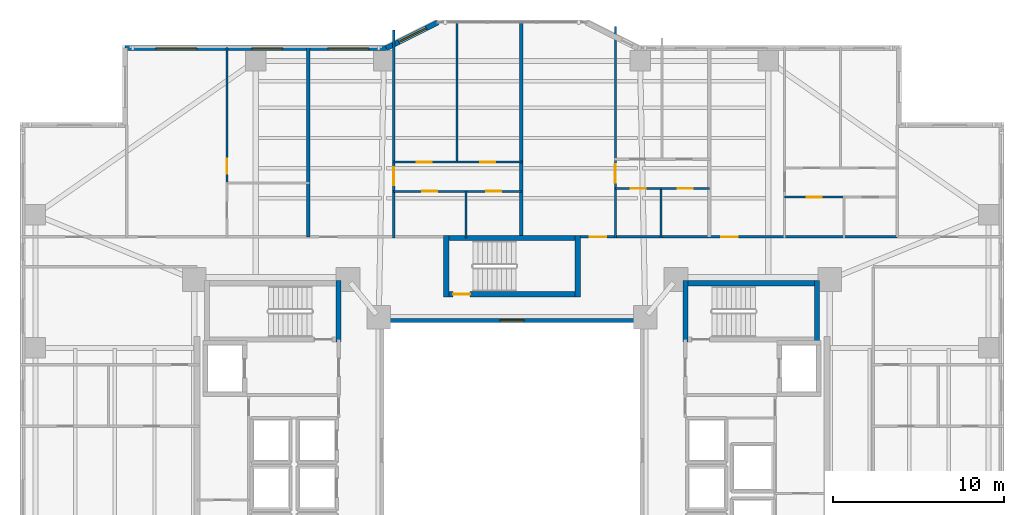
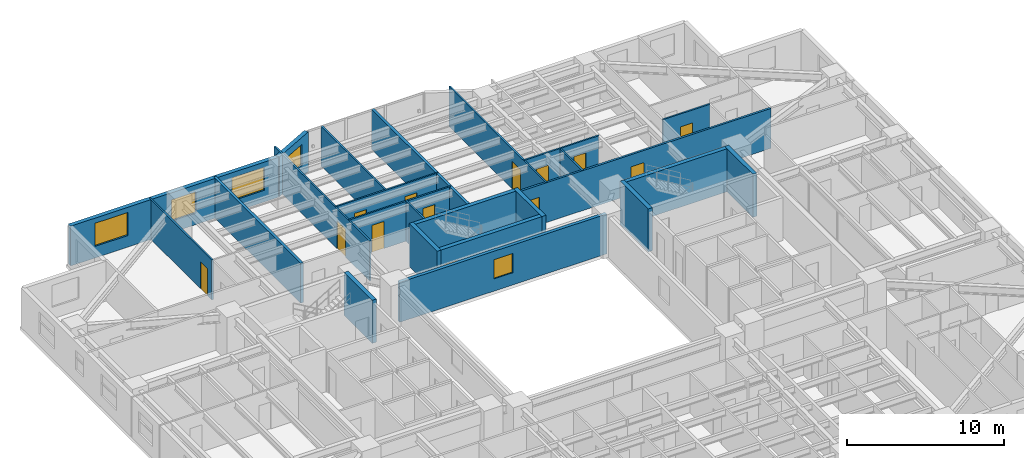
# One storey, part 15 of 22: 26 walls, 13 doors, 5 windows, 18 openings.
"""IFC4 building model written with IfcOpenShell, lengths in metres."""

from ifc_helpers import new_model, si_unit, direction, frame, frame_2d, origin, place, context, subcontext, project, spatial, rectangle, extrude, material, layer, layer_set, type_object, element, fill, save


model = new_model("IFC4")

# Units and contexts
model_context = context("Model", 3, precision=1e-05, world=origin(), true_north=direction((0.0, 1.0)))
body_context = subcontext(model_context, "Body", "Model", "MODEL_VIEW")
ifc_project = project(units=[si_unit("LENGTHUNIT", "METRE"), si_unit("AREAUNIT", "SQUARE_METRE"), si_unit("VOLUMEUNIT", "CUBIC_METRE"), si_unit("PLANEANGLEUNIT", "RADIAN"), si_unit("MASSUNIT", "GRAM", prefix="KILO")], contexts=[model_context])

# Site, building, storey
site_placement = place(None, origin())
site = spatial("IfcSite", under=ifc_project, at=site_placement, CompositionType="ELEMENT")
building_placement = place(site_placement, origin())
building = spatial("IfcBuilding", under=site, at=building_placement, Name="Tarnavaz Court Tower", CompositionType="ELEMENT")
storey_placement = place(building_placement, frame((0.0, 0.0, 57.5)))
storey = spatial("IfcBuildingStorey", under=building, at=storey_placement, Name="L15", CompositionType="ELEMENT", Elevation=57.5)

# Walls
ifc_material_1 = material(Name="Concrete C60/75", Category="concrete")
ifc_layer_1 = layer(ifc_material_1, 0.300048828125)
ifc_layer_set_1 = layer_set([ifc_layer_1], Name="Concrete C60/75")
wall_type_1 = type_object("IfcWallType", Name="WL-CORE-300-C60", PredefinedType="SHEAR", material=ifc_layer_set_1)
wall_1_placement = place(storey_placement, frame((-10.14990234375, 6.35009765625, 0.0), z_axis=(0.0, 0.0, 1.0), x_axis=(0.0, 1.0, 0.0)))
element("IfcWall", 1, at=wall_1_placement, inside=storey, type_object=wall_type_1, Name="L15 West Stair Core Wall 004", PredefinedType="SHEAR", context=body_context, shape_type="SweptSolid", body=[
    extrude(rectangle(XDim=3.58984375, YDim=0.300048828125, at=frame_2d((1.794921875, 0.0))), origin(), (0.0, 0.0, 1.0), 3.35009765625),
])
wall_2_placement = place(storey_placement, frame((10.0, 9.7900390625, 0.0), z_axis=(0.0, 0.0, 1.0), x_axis=(1.0, 0.0, 0.0)))
element("IfcWall", 2, at=wall_2_placement, inside=storey, type_object=wall_type_1, Name="L15 East Stair Core Wall 005", PredefinedType="SHEAR", context=body_context, shape_type="SweptSolid", body=[
    extrude(rectangle(XDim=8.0, YDim=0.300048828125, at=frame_2d((4.0, 0.0))), origin(), (0.0, 0.0, 1.0), 3.35009765625),
])
for number, where, z_axis, x_axis, name in (
    (3, (10.14990234375, 6.35009765625, 0.0), (0.0, 0.0, 1.0), (0.0, 1.0, 0.0), "L15 East Stair Core Wall 007"),
    (4, (17.85009765625, 6.35009765625, 0.0), (0.0, 0.0, 1.0), (0.0, 1.0, 0.0), "L15 East Stair Core Wall 008"),
):
    element("IfcWall", number, at=place(storey_placement, frame(where, z_axis=z_axis, x_axis=x_axis)), inside=storey, type_object=wall_type_1, Name=name, PredefinedType="SHEAR", context=body_context, shape_type="SweptSolid", body=[
        extrude(rectangle(XDim=3.58984375, YDim=0.300048828125, at=frame_2d((1.794921875, 0.0))), origin(), (0.0, 0.0, 1.0), 3.35009765625),
    ])
wall_3_placement = place(storey_placement, frame((-4.0, 12.43994140625, 0.0), z_axis=(0.0, 0.0, 1.0), x_axis=(1.0, 0.0, 0.0)))
element("IfcWall", 5, at=wall_3_placement, inside=storey, type_object=wall_type_1, Name="L15 North Stair Core Wall 009", PredefinedType="SHEAR", context=body_context, shape_type="SweptSolid", body=[
    extrude(rectangle(XDim=8.0, YDim=0.300048828125, at=frame_2d((4.0, 0.0))), origin(), (0.0, 0.0, 1.0), 3.35009765625),
])

# Wall, opening, door
wall_4_placement = place(storey_placement, frame((-4.0, 9.14990234375, 0.0), z_axis=(0.0, 0.0, 1.0), x_axis=(1.0, 0.0, 0.0)))
wall_4 = element("IfcWall", 6, at=wall_4_placement, inside=storey, type_object=wall_type_1, Name="L15 North Stair Core Wall 010", PredefinedType="SHEAR", context=body_context, shape_type="SweptSolid", body=[
    extrude(rectangle(XDim=8.0, YDim=0.300048828125, at=frame_2d((4.0, 0.0))), origin(), (0.0, 0.0, 1.0), 3.35009765625),
])
opening_1_placement = place(wall_4_placement, frame((0.550048828125, 0.0, 0.0)))
opening_1 = element("IfcOpeningElement", 7, at=opening_1_placement, cuts=wall_4, Name="Opening D01", PredefinedType="OPENING", context=body_context, shape_type="SweptSolid", body=[
    extrude(rectangle(XDim=1.0, YDim=2.14990234375, at=frame_2d((0.5, 1.074951171875))), frame((0.0, 0.159912109375, 0.0), z_axis=(0.0, -1.0, 0.0), x_axis=(1.0, 0.0, 0.0)), (0.0, 0.0, 1.0), 0.320068359375),
])
ifc_material_2 = material(Name="Fire-Rated Hardwood Timber Core", Category="wood")
door_type_1 = type_object("IfcDoorType", Name="DR-FD90-1000", OperationType="NOTDEFINED", PredefinedType="DOOR", material=ifc_material_2)
door_1_placement = place(opening_1_placement, origin())
door_1 = element("IfcDoor", 8, at=door_1_placement, inside=storey, type_object=door_type_1, Name="L15 Stair ST-N1 Exit Door", OperationType="SINGLE_SWING_LEFT", OverallHeight=2.14990234375, OverallWidth=1.0, PredefinedType="DOOR", context=body_context, shape_type="SweptSolid", body=[
    extrude(rectangle(XDim=1.0, YDim=2.14990234375, at=frame_2d((0.5, 1.074951171875))), frame((0.0, 0.02490234375, 0.0), z_axis=(0.0, -1.0, 0.0), x_axis=(1.0, 0.0, 0.0)), (0.0, 0.0, 1.0), 0.050048828125),
])
fill(opening_1, door_1)

# Walls
for number, where, z_axis, x_axis, name in (
    (9, (-3.85009765625, 9.0, 0.0), (0.0, 0.0, 1.0), (0.0, 1.0, 0.0), "L15 North Stair Core Wall 011"),
    (10, (3.85009765625, 9.0, 0.0), (0.0, 0.0, 1.0), (0.0, 1.0, 0.0), "L15 North Stair Core Wall 012"),
):
    element("IfcWall", number, at=place(storey_placement, frame(where, z_axis=z_axis, x_axis=x_axis)), inside=storey, type_object=wall_type_1, Name=name, PredefinedType="SHEAR", context=body_context, shape_type="SweptSolid", body=[
        extrude(rectangle(XDim=3.590087890625, YDim=0.300048828125, at=frame_2d((1.794921875, 0.0))), origin(), (0.0, 0.0, 1.0), 3.35009765625),
    ])

# Wall, openings, windows
ifc_material_3 = material(Name="Precast Concrete C40/50", Category="concrete")
ifc_layer_2 = layer(ifc_material_3, 0.300048828125)
ifc_layer_set_2 = layer_set([ifc_layer_2], Name="Precast Concrete C40/50")
wall_type_2 = type_object("IfcWallType", Name="WL-EXT-300", PredefinedType="SOLIDWALL", material=ifc_layer_set_2)
wall_5_placement = place(storey_placement, frame((-22.64990234375, 23.550048828125, 0.0), z_axis=(0.0, 0.0, 1.0), x_axis=(1.0, 0.0, 0.0)))
wall_5 = element("IfcWall", 11, at=wall_5_placement, inside=storey, type_object=wall_type_2, Name="L15 Exterior Terracotta Facade Wall 05", PredefinedType="SOLIDWALL", context=body_context, shape_type="SweptSolid", body=[
    extrude(rectangle(XDim=15.2998046875, YDim=0.300048828125, at=frame_2d((7.64990234375, 0.0))), origin(), (0.0, 0.0, 1.0), 3.10009765625),
])
opening_2_placement = place(wall_5_placement, frame((1.809814453125, 0.0, 0.89990234375)))
opening_2 = element("IfcOpeningElement", 12, at=opening_2_placement, cuts=wall_5, Name="Opening W06", PredefinedType="OPENING", context=body_context, shape_type="SweptSolid", body=[
    extrude(rectangle(XDim=2.39990234375, YDim=1.800048828125, at=frame_2d((1.199951171875, 0.89990234375))), frame((0.0, 0.159912109375, 0.0), z_axis=(0.0, -1.0, 0.0), x_axis=(1.0, 0.0, 0.0)), (0.0, 0.0, 1.0), 0.320068359375),
])
opening_3_placement = place(wall_5_placement, frame((7.42724609375, 0.0, 0.89990234375)))
opening_3 = element("IfcOpeningElement", 13, at=opening_3_placement, cuts=wall_5, Name="Opening W01", PredefinedType="OPENING", context=body_context, shape_type="SweptSolid", body=[
    extrude(rectangle(XDim=1.800048828125, YDim=1.64990234375, at=frame_2d((0.89990234375, 0.824951171875))), frame((0.0, 0.159912109375, 0.0), z_axis=(0.0, -1.0, 0.0), x_axis=(1.0, 0.0, 0.0)), (0.0, 0.0, 1.0), 0.320068359375),
])
opening_4_placement = place(wall_5_placement, frame((11.86767578125, 0.0, 0.89990234375)))
opening_4 = element("IfcOpeningElement", 14, at=opening_4_placement, cuts=wall_5, Name="Opening W06", PredefinedType="OPENING", context=body_context, shape_type="SweptSolid", body=[
    extrude(rectangle(XDim=2.39990234375, YDim=1.800048828125, at=frame_2d((1.199951171875, 0.89990234375))), frame((0.0, 0.159912109375, 0.0), z_axis=(0.0, -1.0, 0.0), x_axis=(1.0, 0.0, 0.0)), (0.0, 0.0, 1.0), 0.320068359375),
])
ifc_material_4 = material(Name="Double-Glazed Solar Low-E Glass", Category="glass")
window_type_1 = type_object("IfcWindowType", Name="WN-APT-1800", PartitioningType="DOUBLE_PANEL_VERTICAL", PredefinedType="WINDOW", material=ifc_material_4)
window_1_placement = place(opening_3_placement, origin())
window_1 = element("IfcWindow", 15, at=window_1_placement, inside=storey, type_object=window_type_1, Name="L15 Flat 01 Kitchen Window", OverallHeight=1.64990234375, OverallWidth=1.800048828125, PartitioningType="SINGLE_PANEL", PredefinedType="WINDOW", context=body_context, shape_type="SweptSolid", body=[
    extrude(rectangle(XDim=1.800048828125, YDim=1.64990234375, at=frame_2d((0.89990234375, 0.824951171875))), frame((0.0, 0.030029296875, 0.0), z_axis=(0.0, -1.0, 0.0), x_axis=(1.0, 0.0, 0.0)), (0.0, 0.0, 1.0), 0.06005859375),
])
fill(opening_3, window_1)
window_type_2 = type_object("IfcWindowType", Name="WN-APT-2400", PartitioningType="TRIPLE_PANEL_VERTICAL", PredefinedType="WINDOW", material=ifc_material_4)
window_2_placement = place(opening_2_placement, origin())
window_2 = element("IfcWindow", 16, at=window_2_placement, inside=storey, type_object=window_type_2, Name="L15 Flat 01 Studio Living and Sleeping Room Window", OverallHeight=1.800048828125, OverallWidth=2.39990234375, PartitioningType="SINGLE_PANEL", PredefinedType="WINDOW", context=body_context, shape_type="SweptSolid", body=[
    extrude(rectangle(XDim=2.39990234375, YDim=1.800048828125, at=frame_2d((1.199951171875, 0.89990234375))), frame((0.0, 0.030029296875, 0.0), z_axis=(0.0, -1.0, 0.0), x_axis=(1.0, 0.0, 0.0)), (0.0, 0.0, 1.0), 0.06005859375),
])
fill(opening_2, window_2)
window_3_placement = place(opening_4_placement, origin())
window_3 = element("IfcWindow", 17, at=window_3_placement, inside=storey, type_object=window_type_2, Name="L15 Flat 02 Living and Dining Room Window", OverallHeight=1.800048828125, OverallWidth=2.39990234375, PartitioningType="SINGLE_PANEL", PredefinedType="WINDOW", context=body_context, shape_type="SweptSolid", body=[
    extrude(rectangle(XDim=2.39990234375, YDim=1.800048828125, at=frame_2d((1.199951171875, 0.89990234375))), frame((0.0, 0.030029296875, 0.0), z_axis=(0.0, -1.0, 0.0), x_axis=(1.0, 0.0, 0.0)), (0.0, 0.0, 1.0), 0.06005859375),
])
fill(opening_4, window_3)

# Wall, opening, window
wall_6_placement = place(storey_placement, frame((-7.35009765625, 23.550048828125, 0.0), z_axis=(0.0, 0.0, 1.0), x_axis=(0.894427191, 0.4472135955, 0.0)))
wall_6 = element("IfcWall", 18, at=wall_6_placement, inside=storey, type_object=wall_type_2, Name="L15 Exterior Terracotta Facade Wall 06", PredefinedType="SOLIDWALL", context=body_context, shape_type="SweptSolid", body=[
    extrude(rectangle(XDim=3.35400390625, YDim=0.300048828125, at=frame_2d((1.677001953125, 0.0))), origin(), (0.0, 0.0, 1.0), 3.10009765625),
])
opening_5_placement = place(wall_6_placement, frame((0.80712890625, 0.0, 0.89990234375)))
opening_5 = element("IfcOpeningElement", 19, at=opening_5_placement, cuts=wall_6, Name="Opening W01", PredefinedType="OPENING", context=body_context, shape_type="SweptSolid", body=[
    extrude(rectangle(XDim=1.800048828125, YDim=1.64990234375, at=frame_2d((0.89990234375, 0.824951171875))), frame((0.0, 0.159912109375, 0.0), z_axis=(0.0, -1.0, 0.0), x_axis=(1.0, 0.0, 0.0)), (0.0, 0.0, 1.0), 0.320068359375),
])
window_4_placement = place(opening_5_placement, origin())
window_4 = element("IfcWindow", 20, at=window_4_placement, inside=storey, type_object=window_type_1, Name="L15 Flat 02 Principal Bedroom Window", OverallHeight=1.64990234375, OverallWidth=1.800048828125, PartitioningType="SINGLE_PANEL", PredefinedType="WINDOW", context=body_context, shape_type="SweptSolid", body=[
    extrude(rectangle(XDim=1.800048828125, YDim=1.64990234375, at=frame_2d((0.89990234375, 0.824951171875))), frame((0.0, 0.030029296875, 0.0), z_axis=(0.0, -1.0, 0.0), x_axis=(1.0, 0.0, 0.0)), (0.0, 0.0, 1.0), 0.06005859375),
])
fill(opening_5, window_4)

# Wall, openings, doors
ifc_material_5 = material(Name="Gypsum Fire-Board on Acoustic Metal Stud", Category="masonry")
ifc_layer_3 = layer(ifc_material_5, 0.14990234375)
ifc_layer_set_3 = layer_set([ifc_layer_3], Name="Gypsum Fire-Board on Acoustic Metal Stud")
wall_type_3 = type_object("IfcWallType", Name="WL-FIRE-150", PredefinedType="PARTITIONING", material=ifc_layer_set_3)
wall_7_placement = place(storey_placement, frame((3.85009765625, 12.5, 0.0), z_axis=(0.0, 0.0, 1.0), x_axis=(1.0, 0.0, 0.0)))
wall_7 = element("IfcWall", 21, at=wall_7_placement, inside=storey, type_object=wall_type_3, Name="L15 NE Wing Corridor Wall 082", PredefinedType="PARTITIONING", context=body_context, shape_type="SweptSolid", body=[
    extrude(rectangle(XDim=18.699951171875, YDim=0.14990234375, at=frame_2d((9.35009765625, 0.0))), origin(), (0.0, 0.0, 1.0), 3.10009765625),
])
opening_6_placement = place(wall_7_placement, frame((0.699951171875, 0.0, 0.0)))
opening_6 = element("IfcOpeningElement", 22, at=opening_6_placement, cuts=wall_7, Name="Opening D06", PredefinedType="OPENING", context=body_context, shape_type="SweptSolid", body=[
    extrude(rectangle(XDim=0.9599609375, YDim=2.14990234375, at=frame_2d((0.47998046875, 1.074951171875))), frame((0.0, 0.0849609375, 0.0), z_axis=(0.0, -1.0, 0.0), x_axis=(1.0, 0.0, 0.0)), (0.0, 0.0, 1.0), 0.169921875),
])
opening_7_placement = place(wall_7_placement, frame((8.39990234375, 0.0, 0.0)))
opening_7 = element("IfcOpeningElement", 23, at=opening_7_placement, cuts=wall_7, Name="Opening D06", PredefinedType="OPENING", context=body_context, shape_type="SweptSolid", body=[
    extrude(rectangle(XDim=0.9599609375, YDim=2.14990234375, at=frame_2d((0.47998046875, 1.074951171875))), frame((0.0, 0.0849609375, 0.0), z_axis=(0.0, -1.0, 0.0), x_axis=(1.0, 0.0, 0.0)), (0.0, 0.0, 1.0), 0.169921875),
])
door_type_2 = type_object("IfcDoorType", Name="DR-FD60-950", OperationType="NOTDEFINED", PredefinedType="DOOR", material=ifc_material_2)
door_2_placement = place(opening_6_placement, origin())
door_2 = element("IfcDoor", 24, at=door_2_placement, inside=storey, type_object=door_type_2, Name="L15 Flat 03 Entrance Door", OperationType="SINGLE_SWING_RIGHT", OverallHeight=2.14990234375, OverallWidth=0.9599609375, PredefinedType="DOOR", context=body_context, shape_type="SweptSolid", body=[
    extrude(rectangle(XDim=0.9599609375, YDim=2.14990234375, at=frame_2d((0.47998046875, 1.074951171875))), frame((0.0, 0.02490234375, 0.0), z_axis=(0.0, -1.0, 0.0), x_axis=(1.0, 0.0, 0.0)), (0.0, 0.0, 1.0), 0.050048828125),
])
fill(opening_6, door_2)
door_3_placement = place(opening_7_placement, origin())
door_3 = element("IfcDoor", 25, at=door_3_placement, inside=storey, type_object=door_type_2, Name="L15 Flat 04 Entrance Door", OperationType="SINGLE_SWING_RIGHT", OverallHeight=2.14990234375, OverallWidth=0.9599609375, PredefinedType="DOOR", context=body_context, shape_type="SweptSolid", body=[
    extrude(rectangle(XDim=0.9599609375, YDim=2.14990234375, at=frame_2d((0.47998046875, 1.074951171875))), frame((0.0, 0.02490234375, 0.0), z_axis=(0.0, -1.0, 0.0), x_axis=(1.0, 0.0, 0.0)), (0.0, 0.0, 1.0), 0.050048828125),
])
fill(opening_7, door_3)

# Walls
ifc_material_6 = material(Name="Autoclaved Aerated Concrete Blockwork", Category="masonry")
ifc_layer_4 = layer(ifc_material_6, 0.199951171875)
ifc_layer_set_4 = layer_set([ifc_layer_4], Name="Autoclaved Aerated Concrete Blockwork")
wall_type_4 = type_object("IfcWallType", Name="WL-FIRE-200", PredefinedType="SOLIDWALL", material=ifc_layer_set_4)
wall_8_placement = place(storey_placement, frame((0.550048828125, 12.5, 0.0), z_axis=(0.0, 0.0, 1.0), x_axis=(0.0, 1.0, 0.0)))
element("IfcWall", 26, at=wall_8_placement, inside=storey, type_object=wall_type_4, Name="L15 North Center Party Wall 087", PredefinedType="SOLIDWALL", context=body_context, shape_type="SweptSolid", body=[
    extrude(rectangle(XDim=12.580078125, YDim=0.199951171875, at=frame_2d((6.2900390625, 0.0))), origin(), (0.0, 0.0, 1.0), 3.10009765625),
])
wall_9_placement = place(storey_placement, frame((-11.924072265625, 12.5, 0.0), z_axis=(0.0, 0.0, 1.0), x_axis=(0.0, 1.0, 0.0)))
element("IfcWall", 27, at=wall_9_placement, inside=storey, type_object=wall_type_4, Name="L15 Party Wall 088", PredefinedType="SOLIDWALL", context=body_context, shape_type="SweptSolid", body=[
    extrude(rectangle(XDim=11.10009765625, YDim=0.199951171875, at=frame_2d((5.550048828125, 0.0))), origin(), (0.0, 0.0, 1.0), 3.10009765625),
])

# Wall, opening, door
ifc_material_7 = material(Name="Moisture-Resistant Gypsum Board Partition", Category="masonry")
ifc_layer_5 = layer(ifc_material_7, 0.1201171875)
ifc_layer_set_5 = layer_set([ifc_layer_5], Name="Moisture-Resistant Gypsum Board Partition")
wall_type_5 = type_object("IfcWallType", Name="WL-PART-120", PredefinedType="PARTITIONING", material=ifc_layer_set_5)
wall_10_placement = place(storey_placement, frame((-16.68408203125, 15.64990234375, 0.0), z_axis=(0.0, 0.0, 1.0), x_axis=(0.0, 1.0, 0.0)))
wall_10 = element("IfcWall", 28, at=wall_10_placement, inside=storey, type_object=wall_type_5, Name="L15 Interior Partition 090", PredefinedType="PARTITIONING", context=body_context, shape_type="SweptSolid", body=[
    extrude(rectangle(XDim=7.9501953125, YDim=0.1201171875, at=frame_2d((3.97509765625, 0.0))), origin(), (0.0, 0.0, 1.0), 3.10009765625),
])
opening_8_placement = place(wall_10_placement, frame((0.550048828125, 0.0, 0.0)))
opening_8 = element("IfcOpeningElement", 29, at=opening_8_placement, cuts=wall_10, Name="Opening D14", PredefinedType="OPENING", context=body_context, shape_type="SweptSolid", body=[
    extrude(rectangle(XDim=0.8798828125, YDim=2.10009765625, at=frame_2d((0.43994140625, 1.050048828125))), frame((0.0, 0.070068359375, 0.0), z_axis=(0.0, -1.0, 0.0), x_axis=(1.0, 0.0, 0.0)), (0.0, 0.0, 1.0), 0.14013671875),
])
ifc_material_8 = material(Name="Engineered Oak Timber", Category="wood")
door_type_3 = type_object("IfcDoorType", Name="DR-INT-900", OperationType="NOTDEFINED", PredefinedType="DOOR", material=ifc_material_8)
door_4_placement = place(opening_8_placement, origin())
door_4 = element("IfcDoor", 30, at=door_4_placement, inside=storey, type_object=door_type_3, Name="L15 Flat 01 Kitchen Door", OperationType="SINGLE_SWING_LEFT", OverallHeight=2.10009765625, OverallWidth=0.8798828125, PredefinedType="DOOR", context=body_context, shape_type="SweptSolid", body=[
    extrude(rectangle(XDim=0.8798828125, YDim=2.10009765625, at=frame_2d((0.43994140625, 1.050048828125))), frame((0.0, 0.02490234375, 0.0), z_axis=(0.0, -1.0, 0.0), x_axis=(1.0, 0.0, 0.0)), (0.0, 0.0, 1.0), 0.050048828125),
])
fill(opening_8, door_4)

wall_11_placement = place(storey_placement, frame((-6.922119140625, 12.43994140625, 0.0), z_axis=(0.0, 0.0, 1.0), x_axis=(0.0, 1.0, 0.0)))
wall_11 = element("IfcWall", 31, at=wall_11_placement, inside=storey, type_object=wall_type_5, Name="L15 Interior Partition 092", PredefinedType="PARTITIONING", context=body_context, shape_type="SweptSolid", body=[
    extrude(rectangle(XDim=12.166015625, YDim=0.1201171875, at=frame_2d((6.0830078125, 0.0))), origin(), (0.0, 0.0, 1.0), 3.10009765625),
])
opening_9_placement = place(wall_11_placement, frame((3.074951171875, 0.0, 0.0)))
opening_9 = element("IfcOpeningElement", 32, at=opening_9_placement, cuts=wall_11, Name="Opening D12", PredefinedType="OPENING", context=body_context, shape_type="SweptSolid", body=[
    extrude(rectangle(XDim=1.080078125, YDim=2.14990234375, at=frame_2d((0.5400390625, 1.074951171875))), frame((0.0, 0.070068359375, 0.0), z_axis=(0.0, -1.0, 0.0), x_axis=(1.0, 0.0, 0.0)), (0.0, 0.0, 1.0), 0.14013671875),
])
door_type_4 = type_object("IfcDoorType", Name="DR-INT-1100", OperationType="NOTDEFINED", PredefinedType="DOOR", material=ifc_material_8)
door_5_placement = place(opening_9_placement, origin())
door_5 = element("IfcDoor", 33, at=door_5_placement, inside=storey, type_object=door_type_4, Name="L15 Flat 02 Foyer Door", OperationType="SINGLE_SWING_LEFT", OverallHeight=2.14990234375, OverallWidth=1.080078125, PredefinedType="DOOR", context=body_context, shape_type="SweptSolid", body=[
    extrude(rectangle(XDim=1.080078125, YDim=2.14990234375, at=frame_2d((0.5400390625, 1.074951171875))), frame((0.0, 0.02490234375, 0.0), z_axis=(0.0, -1.0, 0.0), x_axis=(1.0, 0.0, 0.0)), (0.0, 0.0, 1.0), 0.050048828125),
])
fill(opening_9, door_5)

wall_12_placement = place(storey_placement, frame((-6.922119140625, 15.169921875, 0.0), z_axis=(0.0, 0.0, 1.0), x_axis=(1.0, 0.0, 0.0)))
wall_12 = element("IfcWall", 34, at=wall_12_placement, inside=storey, type_object=wall_type_5, Name="L15 Interior Partition 093", PredefinedType="PARTITIONING", context=body_context, shape_type="SweptSolid", body=[
    extrude(rectangle(XDim=4.22509765625, YDim=0.1201171875, at=frame_2d((2.112548828125, 0.0))), origin(), (0.0, 0.0, 1.0), 3.10009765625),
])
opening_10_placement = place(wall_12_placement, frame((1.672119140625, 0.0, 0.0)))
opening_10 = element("IfcOpeningElement", 35, at=opening_10_placement, cuts=wall_12, Name="Opening D14", PredefinedType="OPENING", context=body_context, shape_type="SweptSolid", body=[
    extrude(rectangle(XDim=0.8798828125, YDim=2.10009765625, at=frame_2d((0.43994140625, 1.050048828125))), frame((0.0, 0.070068359375, 0.0), z_axis=(0.0, -1.0, 0.0), x_axis=(1.0, 0.0, 0.0)), (0.0, 0.0, 1.0), 0.14013671875),
])
door_6_placement = place(opening_10_placement, origin())
door_6 = element("IfcDoor", 36, at=door_6_placement, inside=storey, type_object=door_type_3, Name="L15 Flat 02 Kitchen Door", OperationType="SINGLE_SWING_RIGHT", OverallHeight=2.10009765625, OverallWidth=0.8798828125, PredefinedType="DOOR", context=body_context, shape_type="SweptSolid", body=[
    extrude(rectangle(XDim=0.8798828125, YDim=2.10009765625, at=frame_2d((0.43994140625, 1.050048828125))), frame((0.0, 0.02490234375, 0.0), z_axis=(0.0, -1.0, 0.0), x_axis=(1.0, 0.0, 0.0)), (0.0, 0.0, 1.0), 0.050048828125),
])
fill(opening_10, door_6)

wall_13_placement = place(storey_placement, frame((-2.697021484375, 15.169921875, 0.0), z_axis=(0.0, 0.0, 1.0), x_axis=(1.0, 0.0, 0.0)))
wall_13 = element("IfcWall", 37, at=wall_13_placement, inside=storey, type_object=wall_type_5, Name="L15 Interior Partition 094", PredefinedType="PARTITIONING", context=body_context, shape_type="SweptSolid", body=[
    extrude(rectangle(XDim=3.2470703125, YDim=0.1201171875, at=frame_2d((1.62353515625, 0.0))), origin(), (0.0, 0.0, 1.0), 3.10009765625),
])
opening_11_placement = place(wall_13_placement, frame((1.18310546875, 0.0, 0.0)))
opening_11 = element("IfcOpeningElement", 38, at=opening_11_placement, cuts=wall_13, Name="Opening D14", PredefinedType="OPENING", context=body_context, shape_type="SweptSolid", body=[
    extrude(rectangle(XDim=0.8798828125, YDim=2.10009765625, at=frame_2d((0.43994140625, 1.050048828125))), frame((0.0, 0.070068359375, 0.0), z_axis=(0.0, -1.0, 0.0), x_axis=(1.0, 0.0, 0.0)), (0.0, 0.0, 1.0), 0.14013671875),
])
door_7_placement = place(opening_11_placement, origin())
door_7 = element("IfcDoor", 39, at=door_7_placement, inside=storey, type_object=door_type_3, Name="L15 Flat 02 Bathroom Door", OperationType="SINGLE_SWING_LEFT", OverallHeight=2.10009765625, OverallWidth=0.8798828125, PredefinedType="DOOR", context=body_context, shape_type="SweptSolid", body=[
    extrude(rectangle(XDim=0.8798828125, YDim=2.10009765625, at=frame_2d((0.43994140625, 1.050048828125))), frame((0.0, 0.02490234375, 0.0), z_axis=(0.0, -1.0, 0.0), x_axis=(1.0, 0.0, 0.0)), (0.0, 0.0, 1.0), 0.050048828125),
])
fill(opening_11, door_7)

# Wall, openings, doors
wall_14_placement = place(storey_placement, frame((-6.98193359375, 16.8798828125, 0.0), z_axis=(0.0, 0.0, 1.0), x_axis=(1.0, 0.0, 0.0)))
wall_14 = element("IfcWall", 40, at=wall_14_placement, inside=storey, type_object=wall_type_5, Name="L15 Interior Partition 095", PredefinedType="PARTITIONING", context=body_context, shape_type="SweptSolid", body=[
    extrude(rectangle(XDim=7.592041015625, YDim=0.1201171875, at=frame_2d((3.7958984375, 0.0))), origin(), (0.0, 0.0, 1.0), 3.10009765625),
])
opening_12_placement = place(wall_14_placement, frame((1.4130859375, 0.0, 0.0)))
opening_12 = element("IfcOpeningElement", 41, at=opening_12_placement, cuts=wall_14, Name="Opening D14", PredefinedType="OPENING", context=body_context, shape_type="SweptSolid", body=[
    extrude(rectangle(XDim=0.8798828125, YDim=2.10009765625, at=frame_2d((0.43994140625, 1.050048828125))), frame((0.0, 0.070068359375, 0.0), z_axis=(0.0, -1.0, 0.0), x_axis=(1.0, 0.0, 0.0)), (0.0, 0.0, 1.0), 0.14013671875),
])
opening_13_placement = place(wall_14_placement, frame((5.118896484375, 0.0, 0.0)))
opening_13 = element("IfcOpeningElement", 42, at=opening_13_placement, cuts=wall_14, Name="Opening D14", PredefinedType="OPENING", context=body_context, shape_type="SweptSolid", body=[
    extrude(rectangle(XDim=0.8798828125, YDim=2.10009765625, at=frame_2d((0.43994140625, 1.050048828125))), frame((0.0, 0.070068359375, 0.0), z_axis=(0.0, -1.0, 0.0), x_axis=(1.0, 0.0, 0.0)), (0.0, 0.0, 1.0), 0.14013671875),
])
door_8_placement = place(opening_12_placement, origin())
door_8 = element("IfcDoor", 43, at=door_8_placement, inside=storey, type_object=door_type_3, Name="L15 Flat 02 Bedroom 1 Door", OperationType="SINGLE_SWING_RIGHT", OverallHeight=2.10009765625, OverallWidth=0.8798828125, PredefinedType="DOOR", context=body_context, shape_type="SweptSolid", body=[
    extrude(rectangle(XDim=0.8798828125, YDim=2.10009765625, at=frame_2d((0.43994140625, 1.050048828125))), frame((0.0, 0.02490234375, 0.0), z_axis=(0.0, -1.0, 0.0), x_axis=(1.0, 0.0, 0.0)), (0.0, 0.0, 1.0), 0.050048828125),
])
fill(opening_12, door_8)
door_9_placement = place(opening_13_placement, origin())
door_9 = element("IfcDoor", 44, at=door_9_placement, inside=storey, type_object=door_type_3, Name="L15 Flat 02 Bedroom 2 Door", OperationType="SINGLE_SWING_LEFT", OverallHeight=2.10009765625, OverallWidth=0.8798828125, PredefinedType="DOOR", context=body_context, shape_type="SweptSolid", body=[
    extrude(rectangle(XDim=0.8798828125, YDim=2.10009765625, at=frame_2d((0.43994140625, 1.050048828125))), frame((0.0, 0.02490234375, 0.0), z_axis=(0.0, -1.0, 0.0), x_axis=(1.0, 0.0, 0.0)), (0.0, 0.0, 1.0), 0.050048828125),
])
fill(opening_13, door_9)

# Walls
wall_15_placement = place(storey_placement, frame((-2.697021484375, 12.43994140625, 0.0), z_axis=(0.0, 0.0, 1.0), x_axis=(0.0, 1.0, 0.0)))
element("IfcWall", 45, at=wall_15_placement, inside=storey, type_object=wall_type_5, Name="L15 Interior Partition 096", PredefinedType="PARTITIONING", context=body_context, shape_type="SweptSolid", body=[
    extrude(rectangle(XDim=2.7900390625, YDim=0.1201171875, at=frame_2d((1.39501953125, 0.0))), origin(), (0.0, 0.0, 1.0), 3.10009765625),
])
wall_16_placement = place(storey_placement, frame((-3.216064453125, 16.820068359375, 0.0), z_axis=(0.0, 0.0, 1.0), x_axis=(0.0, 1.0, 0.0)))
element("IfcWall", 46, at=wall_16_placement, inside=storey, type_object=wall_type_5, Name="L15 Interior Partition 097", PredefinedType="PARTITIONING", context=body_context, shape_type="SweptSolid", body=[
    extrude(rectangle(XDim=8.260009765625, YDim=0.1201171875, at=frame_2d((4.1298828125, 0.0))), origin(), (0.0, 0.0, 1.0), 3.10009765625),
])

# Wall, opening, door
wall_17_placement = place(storey_placement, frame((6.050048828125, 12.43994140625, 0.0), z_axis=(0.0, 0.0, 1.0), x_axis=(0.0, 1.0, 0.0)))
wall_17 = element("IfcWall", 47, at=wall_17_placement, inside=storey, type_object=wall_type_5, Name="L15 Interior Partition 099", PredefinedType="PARTITIONING", context=body_context, shape_type="SweptSolid", body=[
    extrude(rectangle(XDim=12.381103515625, YDim=0.1201171875, at=frame_2d((6.1904296875, 0.0))), origin(), (0.0, 0.0, 1.0), 3.10009765625),
])
opening_14_placement = place(wall_17_placement, frame((3.2451171875, 0.0, 0.0)))
opening_14 = element("IfcOpeningElement", 48, at=opening_14_placement, cuts=wall_17, Name="Opening D12", PredefinedType="OPENING", context=body_context, shape_type="SweptSolid", body=[
    extrude(rectangle(XDim=1.080078125, YDim=2.14990234375, at=frame_2d((0.5400390625, 1.074951171875))), frame((0.0, 0.070068359375, 0.0), z_axis=(0.0, -1.0, 0.0), x_axis=(1.0, 0.0, 0.0)), (0.0, 0.0, 1.0), 0.14013671875),
])
door_10_placement = place(opening_14_placement, origin())
door_10 = element("IfcDoor", 49, at=door_10_placement, inside=storey, type_object=door_type_4, Name="L15 Flat 03 Foyer Door", OperationType="SINGLE_SWING_LEFT", OverallHeight=2.14990234375, OverallWidth=1.080078125, PredefinedType="DOOR", context=body_context, shape_type="SweptSolid", body=[
    extrude(rectangle(XDim=1.080078125, YDim=2.14990234375, at=frame_2d((0.5400390625, 1.074951171875))), frame((0.0, 0.02490234375, 0.0), z_axis=(0.0, -1.0, 0.0), x_axis=(1.0, 0.0, 0.0)), (0.0, 0.0, 1.0), 0.050048828125),
])
fill(opening_14, door_10)

wall_18_placement = place(storey_placement, frame((6.050048828125, 15.340087890625, 0.0), z_axis=(0.0, 0.0, 1.0), x_axis=(1.0, 0.0, 0.0)))
wall_18 = element("IfcWall", 50, at=wall_18_placement, inside=storey, type_object=wall_type_5, Name="L15 Interior Partition 100", PredefinedType="PARTITIONING", context=body_context, shape_type="SweptSolid", body=[
    extrude(rectangle(XDim=2.666015625, YDim=0.1201171875, at=frame_2d((1.3330078125, 0.0))), origin(), (0.0, 0.0, 1.0), 3.10009765625),
])
opening_15_placement = place(wall_18_placement, frame((0.89306640625, 0.0, 0.0)))
opening_15 = element("IfcOpeningElement", 51, at=opening_15_placement, cuts=wall_18, Name="Opening D14", PredefinedType="OPENING", context=body_context, shape_type="SweptSolid", body=[
    extrude(rectangle(XDim=0.8798828125, YDim=2.10009765625, at=frame_2d((0.43994140625, 1.050048828125))), frame((0.0, 0.070068359375, 0.0), z_axis=(0.0, -1.0, 0.0), x_axis=(1.0, 0.0, 0.0)), (0.0, 0.0, 1.0), 0.14013671875),
])
door_11_placement = place(opening_15_placement, origin())
door_11 = element("IfcDoor", 52, at=door_11_placement, inside=storey, type_object=door_type_3, Name="L15 Flat 03 Kitchen Door", OperationType="SINGLE_SWING_RIGHT", OverallHeight=2.10009765625, OverallWidth=0.8798828125, PredefinedType="DOOR", context=body_context, shape_type="SweptSolid", body=[
    extrude(rectangle(XDim=0.8798828125, YDim=2.10009765625, at=frame_2d((0.43994140625, 1.050048828125))), frame((0.0, 0.02490234375, 0.0), z_axis=(0.0, -1.0, 0.0), x_axis=(1.0, 0.0, 0.0)), (0.0, 0.0, 1.0), 0.050048828125),
])
fill(opening_15, door_11)

wall_19_placement = place(storey_placement, frame((8.716064453125, 15.340087890625, 0.0), z_axis=(0.0, 0.0, 1.0), x_axis=(1.0, 0.0, 0.0)))
wall_19 = element("IfcWall", 53, at=wall_19_placement, inside=storey, type_object=wall_type_5, Name="L15 Interior Partition 101", PredefinedType="PARTITIONING", context=body_context, shape_type="SweptSolid", body=[
    extrude(rectangle(XDim=2.833984375, YDim=0.1201171875, at=frame_2d((1.4169921875, 0.0))), origin(), (0.0, 0.0, 1.0), 3.10009765625),
])
opening_16_placement = place(wall_19_placement, frame((0.97705078125, 0.0, 0.0)))
opening_16 = element("IfcOpeningElement", 54, at=opening_16_placement, cuts=wall_19, Name="Opening D14", PredefinedType="OPENING", context=body_context, shape_type="SweptSolid", body=[
    extrude(rectangle(XDim=0.8798828125, YDim=2.10009765625, at=frame_2d((0.43994140625, 1.050048828125))), frame((0.0, 0.070068359375, 0.0), z_axis=(0.0, -1.0, 0.0), x_axis=(1.0, 0.0, 0.0)), (0.0, 0.0, 1.0), 0.14013671875),
])
door_12_placement = place(opening_16_placement, origin())
door_12 = element("IfcDoor", 55, at=door_12_placement, inside=storey, type_object=door_type_3, Name="L15 Flat 03 Bathroom Door", OperationType="SINGLE_SWING_LEFT", OverallHeight=2.10009765625, OverallWidth=0.8798828125, PredefinedType="DOOR", context=body_context, shape_type="SweptSolid", body=[
    extrude(rectangle(XDim=0.8798828125, YDim=2.10009765625, at=frame_2d((0.43994140625, 1.050048828125))), frame((0.0, 0.02490234375, 0.0), z_axis=(0.0, -1.0, 0.0), x_axis=(1.0, 0.0, 0.0)), (0.0, 0.0, 1.0), 0.050048828125),
])
fill(opening_16, door_12)

# Wall
wall_20_placement = place(storey_placement, frame((8.716064453125, 12.43994140625, 0.0), z_axis=(0.0, 0.0, 1.0), x_axis=(0.0, 1.0, 0.0)))
element("IfcWall", 56, at=wall_20_placement, inside=storey, type_object=wall_type_5, Name="L15 Interior Partition 103", PredefinedType="PARTITIONING", context=body_context, shape_type="SweptSolid", body=[
    extrude(rectangle(XDim=2.9599609375, YDim=0.1201171875, at=frame_2d((1.47998046875, 0.0))), origin(), (0.0, 0.0, 1.0), 3.10009765625),
])

# Wall, opening, door
wall_21_placement = place(storey_placement, frame((15.9619140625, 14.830078125, 0.0), z_axis=(0.0, 0.0, 1.0), x_axis=(1.0, 0.0, 0.0)))
wall_21 = element("IfcWall", 57, at=wall_21_placement, inside=storey, type_object=wall_type_5, Name="L15 Interior Partition 106", PredefinedType="PARTITIONING", context=body_context, shape_type="SweptSolid", body=[
    extrude(rectangle(XDim=3.460205078125, YDim=0.1201171875, at=frame_2d((1.72998046875, 0.0))), origin(), (0.0, 0.0, 1.0), 3.10009765625),
])
opening_17_placement = place(wall_21_placement, frame((1.2900390625, 0.0, 0.0)))
opening_17 = element("IfcOpeningElement", 58, at=opening_17_placement, cuts=wall_21, Name="Opening D14", PredefinedType="OPENING", context=body_context, shape_type="SweptSolid", body=[
    extrude(rectangle(XDim=0.8798828125, YDim=2.10009765625, at=frame_2d((0.43994140625, 1.050048828125))), frame((0.0, 0.070068359375, 0.0), z_axis=(0.0, -1.0, 0.0), x_axis=(1.0, 0.0, 0.0)), (0.0, 0.0, 1.0), 0.14013671875),
])
door_13_placement = place(opening_17_placement, origin())
door_13 = element("IfcDoor", 59, at=door_13_placement, inside=storey, type_object=door_type_3, Name="L15 Flat 04 Kitchen Door", OperationType="SINGLE_SWING_RIGHT", OverallHeight=2.10009765625, OverallWidth=0.8798828125, PredefinedType="DOOR", context=body_context, shape_type="SweptSolid", body=[
    extrude(rectangle(XDim=0.8798828125, YDim=2.10009765625, at=frame_2d((0.43994140625, 1.050048828125))), frame((0.0, 0.02490234375, 0.0), z_axis=(0.0, -1.0, 0.0), x_axis=(1.0, 0.0, 0.0)), (0.0, 0.0, 1.0), 0.050048828125),
])
fill(opening_17, door_13)

# Wall, opening, window
ifc_layer_6 = layer(ifc_material_3, 0.239990234375)
ifc_layer_set_6 = layer_set([ifc_layer_6], Name="Precast Concrete C40/50")
wall_type_6 = type_object("IfcWallType", Name="WL-WELL-240", PredefinedType="SOLIDWALL", material=ifc_layer_set_6)
wall_22_placement = place(storey_placement, frame((7.6201171875, 7.6201171875, 0.0), z_axis=(0.0, 0.0, 1.0), x_axis=(-1.0, 0.0, 0.0)))
wall_22 = element("IfcWall", 60, at=wall_22_placement, inside=storey, type_object=wall_type_6, Name="L15 Badgir Light-Well Exterior Wall N", PredefinedType="SOLIDWALL", context=body_context, shape_type="SweptSolid", body=[
    extrude(rectangle(XDim=15.240234375, YDim=0.239990234375, at=frame_2d((7.6201171875, 0.0))), origin(), (0.0, 0.0, 1.0), 3.10009765625),
])
opening_18_placement = place(wall_22_placement, frame((6.919921875, 0.0, 0.949951171875)))
opening_18 = element("IfcOpeningElement", 61, at=opening_18_placement, cuts=wall_22, Name="Opening W13", PredefinedType="OPENING", context=body_context, shape_type="SweptSolid", body=[
    extrude(rectangle(XDim=1.39990234375, YDim=1.5, at=frame_2d((0.699951171875, 0.75))), frame((0.0, 0.1298828125, 0.0), z_axis=(0.0, -1.0, 0.0), x_axis=(1.0, 0.0, 0.0)), (0.0, 0.0, 1.0), 0.260009765625),
])
window_type_3 = type_object("IfcWindowType", Name="WN-WEL-1400", PartitioningType="SINGLE_PANEL", PredefinedType="WINDOW", material=ifc_material_4)
window_5_placement = place(opening_18_placement, origin())
window_5 = element("IfcWindow", 62, at=window_5_placement, inside=storey, type_object=window_type_3, Name="L15 Courtyard Gallery Window N", OverallHeight=1.5, OverallWidth=1.39990234375, PartitioningType="SINGLE_PANEL", PredefinedType="WINDOW", context=body_context, shape_type="SweptSolid", body=[
    extrude(rectangle(XDim=1.39990234375, YDim=1.5, at=frame_2d((0.699951171875, 0.75))), frame((0.0, 0.030029296875, 0.0), z_axis=(0.0, -1.0, 0.0), x_axis=(1.0, 0.0, 0.0)), (0.0, 0.0, 1.0), 0.06005859375),
])
fill(opening_18, window_5)

save(model, "model.ifc")
